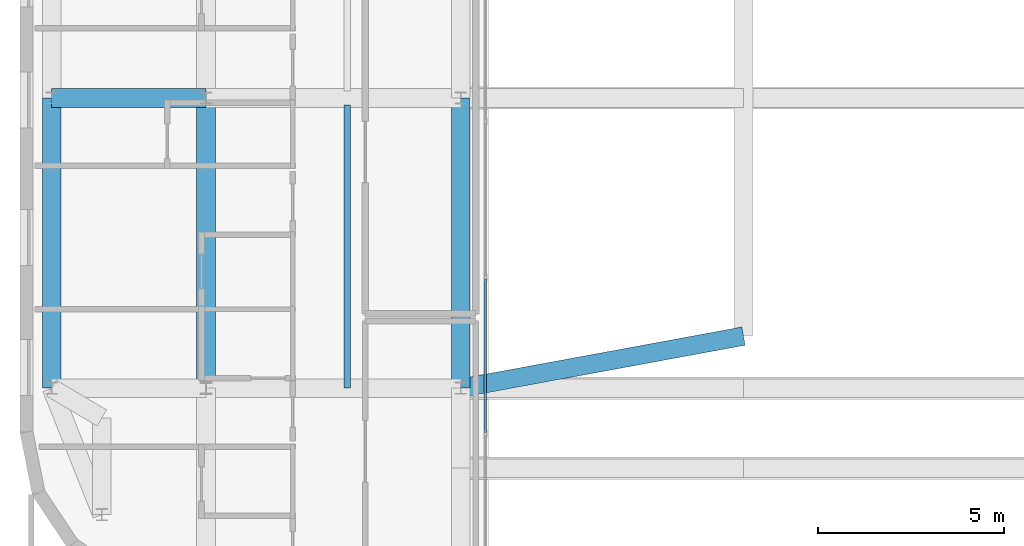
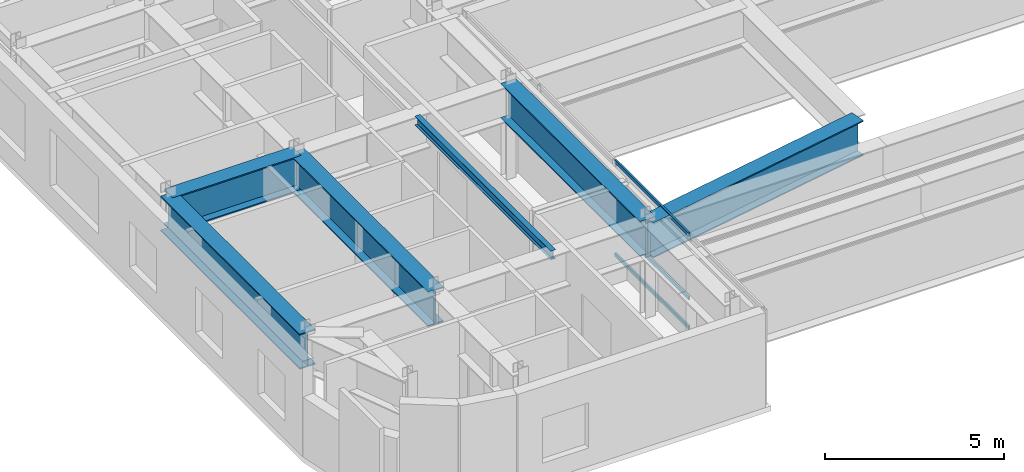
# One storey, part 5 of 21: 6 beams, 3 members, 1 element without a shape of its own.
"""IFC4 building model written with IfcOpenShell, lengths in metres."""

from ifc_helpers import new_model, si_unit, direction, frame, origin, origin_2d, place, context, subcontext, project, spatial, hollow_rectangle, i_section, extrude, source, transform, mapped, material, layer, layer_set, material_profile, profile_set, type_object, type_shapes, element, aggregate, save


model = new_model("IFC4")

# Units and contexts
model_context = context("Model", 3, precision=1e-05, world=origin(), true_north=direction((0.0, 1.0)))
body_context = subcontext(model_context, "Body", "Model", "MODEL_VIEW")
ifc_project = project(units=[si_unit("LENGTHUNIT", "METRE"), si_unit("AREAUNIT", "SQUARE_METRE"), si_unit("VOLUMEUNIT", "CUBIC_METRE"), si_unit("PLANEANGLEUNIT", "RADIAN"), si_unit("MASSUNIT", "GRAM", prefix="KILO")], contexts=[model_context])

# Site, building, storey
site_placement = place(None, origin())
site = spatial("IfcSite", under=ifc_project, at=site_placement, CompositionType="ELEMENT")
building_placement = place(site_placement, origin())
building = spatial("IfcBuilding", under=site, at=building_placement, Name="Tolvann Quenvar Hotel", CompositionType="ELEMENT")
storey_placement = place(building_placement, frame((0.0, 0.0, 266.5)))
storey = spatial("IfcBuildingStorey", under=building, at=storey_placement, Name="L71", CompositionType="ELEMENT", Elevation=266.5)

# Beams
ifc_material_1 = material(Name="Steel Grade 350", Category="steel")
ifc_material_profile_1 = material_profile(ifc_material_1, i_section(OverallWidth=0.5, OverallDepth=1.199951171875, WebThickness=0.01611328125, FlangeThickness=0.0400390625, at=origin_2d()), Name="1200WB455")
ifc_profile_set_1 = profile_set([ifc_material_profile_1], Name="Steel Grade 350")
beam_type_1 = type_object("IfcBeamType", Name="BM_TG_1200WB455", PredefinedType="USERDEFINED", material=ifc_profile_set_1)
shared_shape_1 = source(origin(), body_context, "Body", "SweptSolid", [
    extrude(i_section(OverallWidth=0.5, OverallDepth=1.199951171875, WebThickness=0.01611328125, FlangeThickness=0.0400390625, at=origin_2d()), origin(), (0.0, 0.0, 1.0), 4.150146484375),
])
beam_1_placement = place(storey_placement, frame((3.449951171875, 16.0, 2.64990234375), z_axis=(1.0, 0.0, 0.0), x_axis=(0.0, 1.0, 0.0)))
element("IfcBeam", 1, at=beam_1_placement, inside=storey, type_object=beam_type_1, Name="BM-L71-EW-4-B4-C4", ObjectType="TRANSFER GIRDER", PredefinedType="USERDEFINED", context=body_context, shape_type="MappedRepresentation", body=[
    mapped(shared_shape_1, transform((0.0, 0.0, 0.0), x_axis=(1.0, 0.0, 0.0), y_axis=(0.0, 1.0, 0.0), z_axis=(0.0, 0.0, 1.0), scale=1.0)),
])
shared_shape_2 = source(origin(), body_context, "Body", "SweptSolid", [
    extrude(i_section(OverallWidth=0.5, OverallDepth=1.199951171875, WebThickness=0.01611328125, FlangeThickness=0.0400390625, at=origin_2d()), origin(), (0.0, 0.0, 1.0), 7.800048828125),
])
for number, where, z_axis, x_axis, name in (
    (2, (14.449951171875, 8.199951171875, 2.64990234375), (0.0, 1.0, 0.0), (-1.0, 0.0, 0.0), "TG-L71-NS-D3"),
    (3, (3.449951171875, 8.199951171875, 2.64990234375), (0.0, 1.0, 0.0), (-1.0, 0.0, 0.0), "Setback Transfer Girder L71-B3"),
    (4, (7.60009765625, 8.199951171875, 2.64990234375), (0.0, 1.0, 0.0), (-1.0, 0.0, 0.0), "Setback Transfer Girder L71-C3"),
):
    element("IfcBeam", number, at=place(storey_placement, frame(where, z_axis=z_axis, x_axis=x_axis)), inside=storey, type_object=beam_type_1, Name=name, ObjectType="TRANSFER GIRDER", PredefinedType="USERDEFINED", context=body_context, shape_type="MappedRepresentation", body=[
        mapped(shared_shape_2, transform((0.0, 0.0, 0.0), x_axis=(1.0, 0.0, 0.0), y_axis=(0.0, 1.0, 0.0), z_axis=(0.0, 0.0, 1.0), scale=1.0)),
    ])
ifc_material_profile_2 = material_profile(ifc_material_1, i_section(OverallWidth=0.166015625, OverallDepth=0.306884765625, WebThickness=0.006591796875, FlangeThickness=0.01171875, FilletRadius=0.011474609375, at=origin_2d()), Name="310UB46")
ifc_profile_set_2 = profile_set([ifc_material_profile_2], Name="Steel Grade 350")
beam_type_2 = type_object("IfcBeamType", Name="BM_JOIST_310UB46", PredefinedType="JOIST", material=ifc_profile_set_2)
shared_shape_3 = source(origin(), body_context, "Body", "SweptSolid", [
    extrude(i_section(OverallWidth=0.166015625, OverallDepth=0.306884765625, WebThickness=0.006591796875, FlangeThickness=0.01171875, FilletRadius=0.011474609375, at=origin_2d()), origin(), (0.0, 0.0, 1.0), 7.614990234375),
])
type_shapes(beam_type_2, [shared_shape_3])
beam_2_placement = place(storey_placement, frame((11.39990234375, 8.199951171875, 3.096435546875), z_axis=(0.0, 1.0, 0.0), x_axis=(-1.0, 0.0, 0.0)))
element("IfcBeam", 5, at=beam_2_placement, inside=storey, type_object=beam_type_2, Name="BJ-L71-114-82", PredefinedType="JOIST", context=body_context, shape_type="MappedRepresentation", body=[
    mapped(shared_shape_3, transform((0.0, 0.0, 0.0), x_axis=(1.0, 0.0, 0.0), y_axis=(0.0, 1.0, 0.0), z_axis=(0.0, 0.0, 1.0), scale=1.0)),
])
shared_shape_4 = source(origin(), body_context, "Body", "SweptSolid", [
    extrude(i_section(OverallWidth=0.5, OverallDepth=1.199951171875, WebThickness=0.01611328125, FlangeThickness=0.0400390625, at=origin_2d()), origin(), (0.0, 0.0, 1.0), 7.72802734375),
])
type_shapes(beam_type_1, [shared_shape_1, shared_shape_2, shared_shape_4])
beam_3_placement = place(storey_placement, frame((14.449951171875, 8.199951171875, 2.64990234375), z_axis=(0.983450226073, 0.181178510971, 0.0), x_axis=(-0.181178510971, 0.983450226073, 0.0)))
element("IfcBeam", 6, at=beam_3_placement, inside=storey, type_object=beam_type_1, Name="TG-AUTO1-L71-E3-5", ObjectType="TRANSFER GIRDER", PredefinedType="USERDEFINED", context=body_context, shape_type="MappedRepresentation", body=[
    mapped(shared_shape_4, transform((0.0, 0.0, 0.0), x_axis=(1.0, 0.0, 0.0), y_axis=(0.0, 1.0, 0.0), z_axis=(0.0, 0.0, 1.0), scale=1.0)),
])

# Curtain wall, members
ifc_material_2 = material(Name="Thermally broken anodised architectural aluminium 6063-T6 and laminated low-E glass", Category="aluminium")
ifc_layer = layer(ifc_material_2, 0.179931640625)
ifc_layer_set = layer_set([ifc_layer], Name="Thermally broken anodised architectural aluminium 6063-T6 and laminated low-E glass")
curtain_wall_type = type_object("IfcCurtainWallType", Name="CW_SYS_PORTAL_05", PredefinedType="USERDEFINED", material=ifc_layer_set)
curtain_wall_placement = place(storey_placement, origin())
curtain_wall = element("IfcCurtainWall", 7, at=curtain_wall_placement, inside=storey, type_object=curtain_wall_type, Name="Curtain Wall CW-PORTAL-05 (CWR-L71-E05)", ObjectType="UNITISED CURTAIN WALL", PredefinedType="USERDEFINED")
ifc_material_3 = material(Name="Anodised architectural aluminium 6063-T6 framing", Category="aluminium")
ifc_material_profile_3 = material_profile(ifc_material_3, hollow_rectangle(XDim=0.06005859375, YDim=0.1201171875, WallThickness=0.00341796875, at=origin_2d()), Name="120x60x3.5RHS")
ifc_profile_set_3 = profile_set([ifc_material_profile_3], Name="Anodised architectural aluminium 6063-T6 framing")
member_type = type_object("IfcMemberType", Name="CW_TRAN_120x60", PredefinedType="USERDEFINED", material=ifc_profile_set_3)
shared_shape_5 = source(origin(), body_context, "Body", "SweptSolid", [
    extrude(hollow_rectangle(XDim=0.06005859375, YDim=0.1201171875, WallThickness=0.00341796875, at=origin_2d()), origin(), (0.0, 0.0, 1.0), 4.1298828125),
])
type_shapes(member_type, [shared_shape_5])
member_1_placement = place(storey_placement, frame((15.110107421875, 7.010009765625, 0.030029296875), z_axis=(0.0, 1.0, 0.0), x_axis=(-1.0, 0.0, 0.0)))
member_1 = element("IfcMember", 8, at=member_1_placement, type_object=member_type, Name="CW-PORTAL-05 transom 2.1", ObjectType="TRANSOM", PredefinedType="USERDEFINED", context=body_context, shape_type="MappedRepresentation", body=[
    mapped(shared_shape_5, transform((0.0, 0.0, 0.0), x_axis=(1.0, 0.0, 0.0), y_axis=(0.0, 1.0, 0.0), z_axis=(0.0, 0.0, 1.0), scale=1.0)),
])
member_2_placement = place(storey_placement, frame((15.110107421875, 7.010009765625, 1.0400390625), z_axis=(0.0, 1.0, 0.0), x_axis=(-1.0, 0.0, 0.0)))
member_2 = element("IfcMember", 9, at=member_2_placement, type_object=member_type, Name="CW-PORTAL-05 transom 2.2", ObjectType="TRANSOM", PredefinedType="USERDEFINED", context=body_context, shape_type="MappedRepresentation", body=[
    mapped(shared_shape_5, transform((0.0, 0.0, 0.0), x_axis=(1.0, 0.0, 0.0), y_axis=(0.0, 1.0, 0.0), z_axis=(0.0, 0.0, 1.0), scale=1.0)),
])
member_3_placement = place(storey_placement, frame((15.110107421875, 7.010009765625, 3.219970703125), z_axis=(0.0, 1.0, 0.0), x_axis=(-1.0, 0.0, 0.0)))
member_3 = element("IfcMember", 10, at=member_3_placement, type_object=member_type, Name="CW-PORTAL-05 transom 2.3", ObjectType="TRANSOM", PredefinedType="USERDEFINED", context=body_context, shape_type="MappedRepresentation", body=[
    mapped(shared_shape_5, transform((0.0, 0.0, 0.0), x_axis=(1.0, 0.0, 0.0), y_axis=(0.0, 1.0, 0.0), z_axis=(0.0, 0.0, 1.0), scale=1.0)),
])
aggregate(curtain_wall, [member_1, member_2, member_3])

save(model, "model.ifc")
